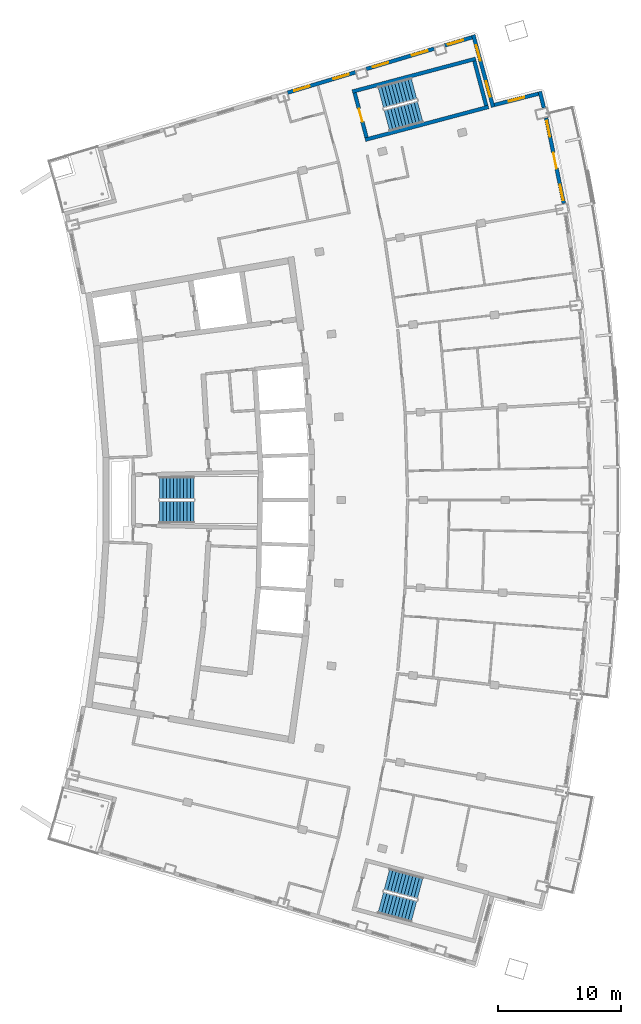
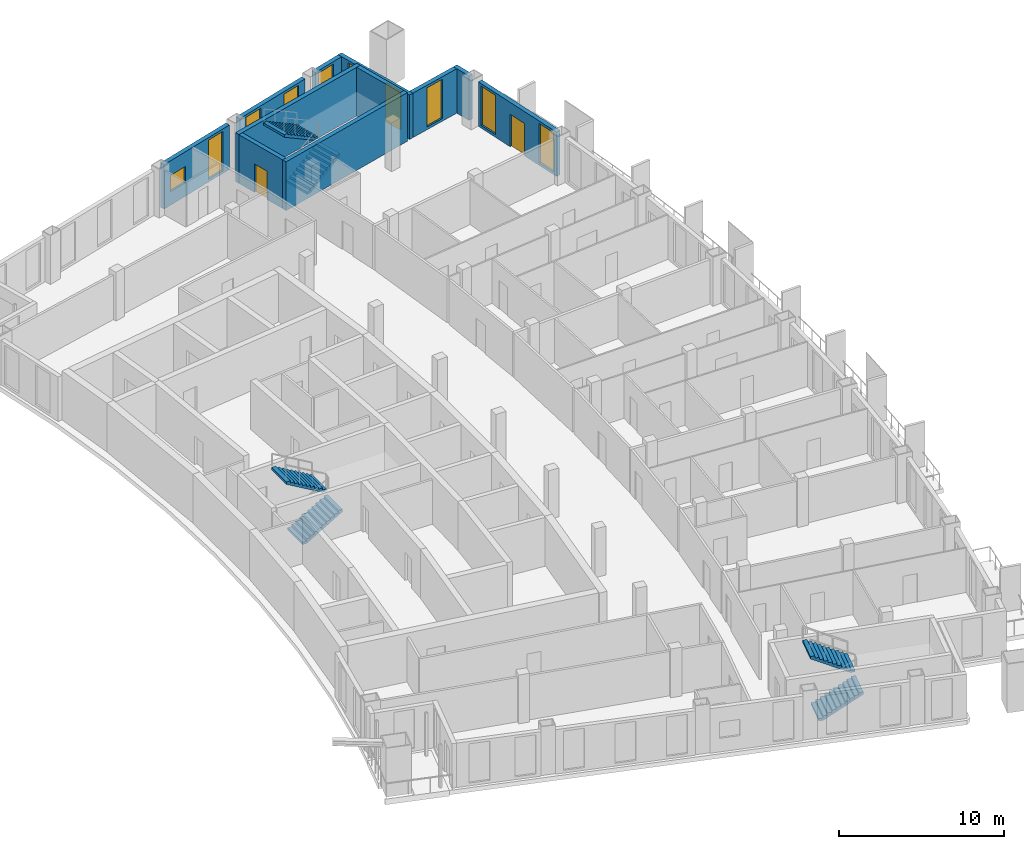
# One storey, part 13 of 16: 11 walls, 10 windows, 6 stair flights, 2 doors, 12 openings, 3 elements without a shape of their own.
"""IFC4 building model written with IfcOpenShell, lengths in metres."""

from ifc_helpers import new_model, si_unit, direction, frame, frame_2d, origin, place, context, subcontext, project, spatial, polyline, rectangle, outline, extrude, material, layer, layer_set, type_object, element, fill, aggregate, save


model = new_model("IFC4")

# Units and contexts
model_context = context("Model", 3, precision=1e-05, world=origin(), true_north=direction((0.0, 1.0)))
body_context = subcontext(model_context, "Body", "Model", "MODEL_VIEW")
ifc_project = project(units=[si_unit("LENGTHUNIT", "METRE"), si_unit("AREAUNIT", "SQUARE_METRE"), si_unit("VOLUMEUNIT", "CUBIC_METRE"), si_unit("PLANEANGLEUNIT", "RADIAN"), si_unit("MASSUNIT", "GRAM", prefix="KILO")], contexts=[model_context])

# Site, building, storey
site_placement = place(None, origin())
site = spatial("IfcSite", under=ifc_project, at=site_placement, CompositionType="ELEMENT")
building_placement = place(site_placement, origin())
building = spatial("IfcBuilding", under=site, at=building_placement, Name="Alderwake Tower", CompositionType="ELEMENT")
storey_placement = place(building_placement, frame((0.0, 0.0, 281.60009765625)))
storey = spatial("IfcBuildingStorey", under=building, at=storey_placement, Name="L70", CompositionType="ELEMENT", Elevation=281.60009765625)

# Walls
ifc_material_1 = material(Name="Concrete C70/85", Category="concrete")
ifc_layer_1 = layer(ifc_material_1, 0.300048828125)
ifc_layer_set_1 = layer_set([ifc_layer_1], Name="Core wall stair enclosure 300 C70-85")
wall_type_1 = type_object("IfcWallType", Name="Core wall stair enclosure 300 C70-85", PredefinedType="SHEAR", material=ifc_layer_set_1)
for number, where, z_axis, x_axis, name in (
    (1, (36.71142578125, 94.182373046875, 0.0), (0.0, 0.0, 1.0), (0.966309214305, 0.257383958996, 0.0), "Core wall CW.082"),
    (2, (37.75390625, 90.268798828125, 0.0), (0.0, 0.0, 1.0), (0.966309214305, 0.257383958996, 0.0), "Core wall CW.084"),
):
    element("IfcWall", number, at=place(storey_placement, frame(where, z_axis=z_axis, x_axis=x_axis)), inside=storey, type_object=wall_type_1, Name=name, PredefinedType="SHEAR", context=body_context, shape_type="SweptSolid", body=[
        extrude(rectangle(XDim=10.360107421875, YDim=0.300048828125, at=frame_2d((5.18017578125, 0.0))), origin(), (0.0, 0.0, 1.0), 3.599853515625),
    ])

# Wall, opening, door
wall_1_placement = place(storey_placement, frame((37.8603515625, 90.452392578125, 0.0), z_axis=(0.0, 0.0, 1.0), x_axis=(-0.257411420208, 0.966301899381, 0.0)))
wall_1 = element("IfcWall", 3, at=wall_1_placement, inside=storey, type_object=wall_type_1, Name="Core wall CW.083", PredefinedType="SHEAR", context=body_context, shape_type="SweptSolid", body=[
    extrude(rectangle(XDim=3.750244140625, YDim=0.300048828125, at=frame_2d((1.875, 0.0))), origin(), (0.0, 0.0, 1.0), 3.599853515625),
])
opening_1_placement = place(wall_1_placement, frame((1.324951171875, 0.0, 0.0)))
opening_1 = element("IfcOpeningElement", 4, at=opening_1_placement, cuts=wall_1, Name="Opening C062", PredefinedType="OPENING", context=body_context, shape_type="SweptSolid", body=[
    extrude(rectangle(XDim=1.10009765625, YDim=2.10009765625, at=frame_2d((0.550048828125, 1.050048828125))), frame((0.0, 0.159912109375, 0.0), z_axis=(0.0, -1.0, 0.0), x_axis=(1.0, 0.0, 0.0)), (0.0, 0.0, 1.0), 0.320068359375),
])
ifc_material_2 = material(Name="Steel-framed fire door leaf", Category="steel")
door_type_1 = type_object("IfcDoorType", Name="Core stair door 1100 fire-rated", OperationType="SINGLE_SWING_LEFT", PredefinedType="DOOR", material=ifc_material_2)
door_1_placement = place(opening_1_placement, origin())
door_1 = element("IfcDoor", 5, at=door_1_placement, inside=storey, type_object=door_type_1, Name="Stair door", OperationType="SINGLE_SWING_RIGHT", OverallHeight=2.10009765625, OverallWidth=1.10009765625, PredefinedType="DOOR", context=body_context, shape_type="SweptSolid", body=[
    extrude(rectangle(XDim=1.10009765625, YDim=2.10009765625, at=frame_2d((0.550048828125, 1.050048828125))), frame((0.0, 0.02490234375, 0.0), z_axis=(0.0, -1.0, 0.0), x_axis=(1.0, 0.0, 0.0)), (0.0, 0.0, 1.0), 0.050048828125),
])
fill(opening_1, door_1)

# Wall
wall_2_placement = place(storey_placement, frame((47.581298828125, 93.041748046875, 0.0), z_axis=(0.0, 0.0, 1.0), x_axis=(-0.257366821694, 0.966313778796, 0.0)))
element("IfcWall", 6, at=wall_2_placement, inside=storey, type_object=wall_type_1, Name="Core wall CW.081", PredefinedType="SHEAR", context=body_context, shape_type="SweptSolid", body=[
    extrude(rectangle(XDim=3.749755859375, YDim=0.300048828125, at=frame_2d((1.875, 0.0))), origin(), (0.0, 0.0, 1.0), 3.599853515625),
])

# Wall, openings, door, windows
ifc_material_3 = material(Name="Precast concrete C50/60 spandrel panel", Category="concrete")
ifc_layer_2 = layer(ifc_material_3, 0.300048828125)
ifc_layer_set_2 = layer_set([ifc_layer_2], Name="External wall EW1 Precast concrete C50/60 spandrel")
wall_type_2 = type_object("IfcWallType", Name="External wall EW1 Precast concrete C50/60 spandrel", PredefinedType="SOLIDWALL", material=ifc_layer_set_2)
wall_3_placement = place(storey_placement, frame((53.886474609375, 85.100341796875, 0.0), z_axis=(0.0, 0.0, 1.0), x_axis=(-0.202764970436, 0.979227433625, 0.0)))
wall_3 = element("IfcWall", 7, at=wall_3_placement, inside=storey, type_object=wall_type_2, Name="External wall 19", PredefinedType="SOLIDWALL", context=body_context, shape_type="SweptSolid", body=[
    extrude(rectangle(XDim=7.091796875, YDim=0.300048828125, at=frame_2d((3.5458984375, 0.0))), origin(), (0.0, 0.0, 1.0), 3.27978515625),
])
opening_2_placement = place(wall_3_placement, frame((0.255615234375, 0.0, 0.199951171875)))
opening_2 = element("IfcOpeningElement", 8, at=opening_2_placement, cuts=wall_3, Name="Opening W1", PredefinedType="OPENING", context=body_context, shape_type="SweptSolid", body=[
    extrude(rectangle(XDim=1.300048828125, YDim=2.89990234375, at=frame_2d((0.64990234375, 1.449951171875))), frame((0.0, 0.159912109375, 0.0), z_axis=(0.0, -1.0, 0.0), x_axis=(1.0, 0.0, 0.0)), (0.0, 0.0, 1.0), 0.320068359375),
])
opening_3_placement = place(wall_3_placement, frame((2.895751953125, 0.0, 0.0)))
opening_3 = element("IfcOpeningElement", 9, at=opening_3_placement, cuts=wall_3, Name="Opening D08", PredefinedType="OPENING", context=body_context, shape_type="SweptSolid", body=[
    extrude(rectangle(XDim=1.300048828125, YDim=2.39990234375, at=frame_2d((0.64990234375, 1.199951171875))), frame((0.0, 0.159912109375, 0.0), z_axis=(0.0, -1.0, 0.0), x_axis=(1.0, 0.0, 0.0)), (0.0, 0.0, 1.0), 0.320068359375),
])
opening_4_placement = place(wall_3_placement, frame((5.535888671875, 0.0, 0.199951171875)))
opening_4 = element("IfcOpeningElement", 10, at=opening_4_placement, cuts=wall_3, Name="Opening W1", PredefinedType="OPENING", context=body_context, shape_type="SweptSolid", body=[
    extrude(rectangle(XDim=1.300048828125, YDim=2.89990234375, at=frame_2d((0.64990234375, 1.449951171875))), frame((0.0, 0.159912109375, 0.0), z_axis=(0.0, -1.0, 0.0), x_axis=(1.0, 0.0, 0.0)), (0.0, 0.0, 1.0), 0.320068359375),
])
ifc_material_4 = material(Name="Bronze tinted glass in aluminium frame", Category="aluminium")
door_type_2 = type_object("IfcDoorType", Name="Balcony door BD sliding", OperationType="SLIDING_TO_LEFT", PredefinedType="DOOR", material=ifc_material_4)
door_2_placement = place(opening_3_placement, origin())
door_2 = element("IfcDoor", 11, at=door_2_placement, inside=storey, type_object=door_type_2, Name="Door D08", OperationType="SLIDING_TO_LEFT", OverallHeight=2.39990234375, OverallWidth=1.300048828125, PredefinedType="DOOR", context=body_context, shape_type="SweptSolid", body=[
    extrude(rectangle(XDim=1.300048828125, YDim=2.39990234375, at=frame_2d((0.64990234375, 1.199951171875))), frame((0.0, 0.02490234375, 0.0), z_axis=(0.0, -1.0, 0.0), x_axis=(1.0, 0.0, 0.0)), (0.0, 0.0, 1.0), 0.050048828125),
])
fill(opening_3, door_2)
ifc_material_5 = material(Name="Bronze tinted glass in aluminium frame", Category="aluminium")
window_type_1 = type_object("IfcWindowType", Name="Window W1 tall fixed and vent", PartitioningType="DOUBLE_PANEL_VERTICAL", PredefinedType="WINDOW", material=ifc_material_5)
window_1_placement = place(opening_2_placement, origin())
window_1 = element("IfcWindow", 12, at=window_1_placement, inside=storey, type_object=window_type_1, Name="Window W1 tall fixed and vent", OverallHeight=2.89990234375, OverallWidth=1.300048828125, PartitioningType="DOUBLE_PANEL_VERTICAL", PredefinedType="WINDOW", context=body_context, shape_type="SweptSolid", body=[
    extrude(rectangle(XDim=1.300048828125, YDim=2.89990234375, at=frame_2d((0.64990234375, 1.449951171875))), frame((0.0, 0.030029296875, 0.0), z_axis=(0.0, -1.0, 0.0), x_axis=(1.0, 0.0, 0.0)), (0.0, 0.0, 1.0), 0.06005859375),
])
fill(opening_2, window_1)
window_2_placement = place(opening_4_placement, origin())
window_2 = element("IfcWindow", 13, at=window_2_placement, inside=storey, type_object=window_type_1, Name="Window W1 tall fixed and vent", OverallHeight=2.89990234375, OverallWidth=1.300048828125, PartitioningType="DOUBLE_PANEL_VERTICAL", PredefinedType="WINDOW", context=body_context, shape_type="SweptSolid", body=[
    extrude(rectangle(XDim=1.300048828125, YDim=2.89990234375, at=frame_2d((0.64990234375, 1.449951171875))), frame((0.0, 0.030029296875, 0.0), z_axis=(0.0, -1.0, 0.0), x_axis=(1.0, 0.0, 0.0)), (0.0, 0.0, 1.0), 0.06005859375),
])
fill(opening_4, window_2)

# Wall
wall_4_placement = place(storey_placement, frame((52.2666015625, 92.8515625, 0.0), z_axis=(0.0, 0.0, 1.0), x_axis=(-0.238407508489, 0.971165207313, 0.0)))
element("IfcWall", 14, at=wall_4_placement, inside=storey, type_object=wall_type_2, Name="External wall 20", PredefinedType="SOLIDWALL", context=body_context, shape_type="SweptSolid", body=[
    extrude(rectangle(XDim=1.37841796875, YDim=0.300048828125, at=frame_2d((0.689208984375, 0.0))), origin(), (0.0, 0.0, 1.0), 3.27978515625),
])

# Wall, opening, window
ifc_material_6 = material(Name="Bronze metal cladding on lightweight framing")
ifc_layer_3 = layer(ifc_material_6, 0.300048828125)
ifc_layer_set_3 = layer_set([ifc_layer_3], Name="External wall EW2 bronze metal cladding")
wall_type_3 = type_object("IfcWallType", Name="External wall EW2 bronze metal cladding", PredefinedType="SOLIDWALL", material=ifc_layer_set_3)
wall_5_placement = place(storey_placement, frame((51.828369140625, 94.0078125, 0.0), z_axis=(0.0, 0.0, 1.0), x_axis=(-0.969426922046, -0.245380200529, 0.0)))
wall_5 = element("IfcWall", 15, at=wall_5_placement, inside=storey, type_object=wall_type_3, Name="External wall 21", PredefinedType="SOLIDWALL", context=body_context, shape_type="SweptSolid", body=[
    extrude(rectangle(XDim=3.6943359375, YDim=0.300048828125, at=frame_2d((1.84716796875, 0.0))), origin(), (0.0, 0.0, 1.0), 3.27978515625),
])
opening_5_placement = place(wall_5_placement, frame((1.197021484375, 0.0, 0.199951171875)))
opening_5 = element("IfcOpeningElement", 16, at=opening_5_placement, cuts=wall_5, Name="Opening W1", PredefinedType="OPENING", context=body_context, shape_type="SweptSolid", body=[
    extrude(rectangle(XDim=1.300048828125, YDim=2.89990234375, at=frame_2d((0.64990234375, 1.449951171875))), frame((0.0, 0.159912109375, 0.0), z_axis=(0.0, -1.0, 0.0), x_axis=(1.0, 0.0, 0.0)), (0.0, 0.0, 1.0), 0.320068359375),
])
window_3_placement = place(opening_5_placement, origin())
window_3 = element("IfcWindow", 17, at=window_3_placement, inside=storey, type_object=window_type_1, Name="Window W1 tall fixed and vent", OverallHeight=2.89990234375, OverallWidth=1.300048828125, PartitioningType="DOUBLE_PANEL_VERTICAL", PredefinedType="WINDOW", context=body_context, shape_type="SweptSolid", body=[
    extrude(rectangle(XDim=1.300048828125, YDim=2.89990234375, at=frame_2d((0.64990234375, 1.449951171875))), frame((0.0, 0.030029296875, 0.0), z_axis=(0.0, -1.0, 0.0), x_axis=(1.0, 0.0, 0.0)), (0.0, 0.0, 1.0), 0.06005859375),
])
fill(opening_5, window_3)

# Wall, openings, windows
wall_6_placement = place(storey_placement, frame((48.141357421875, 92.919921875, 0.0), z_axis=(0.0, 0.0, 1.0), x_axis=(-0.265081779461, 0.96422593317, 0.0)))
wall_6 = element("IfcWall", 18, at=wall_6_placement, inside=storey, type_object=wall_type_3, Name="External wall 22", PredefinedType="SOLIDWALL", context=body_context, shape_type="SweptSolid", body=[
    extrude(rectangle(XDim=6.07666015625, YDim=0.300048828125, at=frame_2d((3.038330078125, 0.0))), origin(), (0.0, 0.0, 1.0), 3.27978515625),
])
opening_6_placement = place(wall_6_placement, frame((0.869140625, 0.0, 0.199951171875)))
opening_6 = element("IfcOpeningElement", 19, at=opening_6_placement, cuts=wall_6, Name="Opening W1", PredefinedType="OPENING", context=body_context, shape_type="SweptSolid", body=[
    extrude(rectangle(XDim=1.300048828125, YDim=2.89990234375, at=frame_2d((0.64990234375, 1.449951171875))), frame((0.0, 0.159912109375, 0.0), z_axis=(0.0, -1.0, 0.0), x_axis=(1.0, 0.0, 0.0)), (0.0, 0.0, 1.0), 0.320068359375),
])
opening_7_placement = place(wall_6_placement, frame((3.90771484375, 0.0, 0.199951171875)))
opening_7 = element("IfcOpeningElement", 20, at=opening_7_placement, cuts=wall_6, Name="Opening W1", PredefinedType="OPENING", context=body_context, shape_type="SweptSolid", body=[
    extrude(rectangle(XDim=1.300048828125, YDim=2.89990234375, at=frame_2d((0.64990234375, 1.449951171875))), frame((0.0, 0.159912109375, 0.0), z_axis=(0.0, -1.0, 0.0), x_axis=(1.0, 0.0, 0.0)), (0.0, 0.0, 1.0), 0.320068359375),
])
window_4_placement = place(opening_6_placement, origin())
window_4 = element("IfcWindow", 21, at=window_4_placement, inside=storey, type_object=window_type_1, Name="Window W1 tall fixed and vent", OverallHeight=2.89990234375, OverallWidth=1.300048828125, PartitioningType="DOUBLE_PANEL_VERTICAL", PredefinedType="WINDOW", context=body_context, shape_type="SweptSolid", body=[
    extrude(rectangle(XDim=1.300048828125, YDim=2.89990234375, at=frame_2d((0.64990234375, 1.449951171875))), frame((0.0, 0.030029296875, 0.0), z_axis=(0.0, -1.0, 0.0), x_axis=(1.0, 0.0, 0.0)), (0.0, 0.0, 1.0), 0.06005859375),
])
fill(opening_6, window_4)
window_5_placement = place(opening_7_placement, origin())
window_5 = element("IfcWindow", 22, at=window_5_placement, inside=storey, type_object=window_type_1, Name="Window W1 tall fixed and vent", OverallHeight=2.89990234375, OverallWidth=1.300048828125, PartitioningType="DOUBLE_PANEL_VERTICAL", PredefinedType="WINDOW", context=body_context, shape_type="SweptSolid", body=[
    extrude(rectangle(XDim=1.300048828125, YDim=2.89990234375, at=frame_2d((0.64990234375, 1.449951171875))), frame((0.0, 0.030029296875, 0.0), z_axis=(0.0, -1.0, 0.0), x_axis=(1.0, 0.0, 0.0)), (0.0, 0.0, 1.0), 0.06005859375),
])
fill(opening_7, window_5)

# Wall, opening, window
wall_7_placement = place(storey_placement, frame((46.4267578125, 98.591552734375, 0.0), z_axis=(0.0, 0.0, 1.0), x_axis=(-0.957773977811, -0.287522185977, 0.0)))
wall_7 = element("IfcWall", 23, at=wall_7_placement, inside=storey, type_object=wall_type_3, Name="External wall 23", PredefinedType="SOLIDWALL", context=body_context, shape_type="SweptSolid", body=[
    extrude(rectangle(XDim=2.31298828125, YDim=0.300048828125, at=frame_2d((1.156494140625, 0.0))), origin(), (0.0, 0.0, 1.0), 3.27978515625),
])
opening_8_placement = place(wall_7_placement, frame((0.732421875, 0.0, 0.199951171875)))
opening_8 = element("IfcOpeningElement", 24, at=opening_8_placement, cuts=wall_7, Name="Opening W1", PredefinedType="OPENING", context=body_context, shape_type="SweptSolid", body=[
    extrude(rectangle(XDim=1.300048828125, YDim=2.89990234375, at=frame_2d((0.64990234375, 1.449951171875))), frame((0.0, 0.159912109375, 0.0), z_axis=(0.0, -1.0, 0.0), x_axis=(1.0, 0.0, 0.0)), (0.0, 0.0, 1.0), 0.320068359375),
])
window_6_placement = place(opening_8_placement, origin())
window_6 = element("IfcWindow", 25, at=window_6_placement, inside=storey, type_object=window_type_1, Name="Window W1 tall fixed and vent", OverallHeight=2.89990234375, OverallWidth=1.300048828125, PartitioningType="DOUBLE_PANEL_VERTICAL", PredefinedType="WINDOW", context=body_context, shape_type="SweptSolid", body=[
    extrude(rectangle(XDim=1.300048828125, YDim=2.89990234375, at=frame_2d((0.64990234375, 1.449951171875))), frame((0.0, 0.030029296875, 0.0), z_axis=(0.0, -1.0, 0.0), x_axis=(1.0, 0.0, 0.0)), (0.0, 0.0, 1.0), 0.06005859375),
])
fill(opening_8, window_6)

# Wall, openings, windows
wall_8_placement = place(storey_placement, frame((43.34619140625, 97.66650390625, 0.0), z_axis=(0.0, 0.0, 1.0), x_axis=(-0.957776135082, -0.287514999726, 0.0)))
wall_8 = element("IfcWall", 26, at=wall_8_placement, inside=storey, type_object=wall_type_3, Name="External wall 24", PredefinedType="SOLIDWALL", context=body_context, shape_type="SweptSolid", body=[
    extrude(rectangle(XDim=5.76318359375, YDim=0.300048828125, at=frame_2d((2.881591796875, 0.0))), origin(), (0.0, 0.0, 1.0), 3.27978515625),
])
opening_9_placement = place(wall_8_placement, frame((0.56494140625, 0.0, 0.199951171875)))
opening_9 = element("IfcOpeningElement", 27, at=opening_9_placement, cuts=wall_8, Name="Opening W1", PredefinedType="OPENING", context=body_context, shape_type="SweptSolid", body=[
    extrude(rectangle(XDim=1.300048828125, YDim=2.89990234375, at=frame_2d((0.64990234375, 1.449951171875))), frame((0.0, 0.159912109375, 0.0), z_axis=(0.0, -1.0, 0.0), x_axis=(1.0, 0.0, 0.0)), (0.0, 0.0, 1.0), 0.320068359375),
])
opening_10_placement = place(wall_8_placement, frame((3.8984375, 0.0, 0.199951171875)))
opening_10 = element("IfcOpeningElement", 28, at=opening_10_placement, cuts=wall_8, Name="Opening W1", PredefinedType="OPENING", context=body_context, shape_type="SweptSolid", body=[
    extrude(rectangle(XDim=1.300048828125, YDim=2.89990234375, at=frame_2d((0.64990234375, 1.449951171875))), frame((0.0, 0.159912109375, 0.0), z_axis=(0.0, -1.0, 0.0), x_axis=(1.0, 0.0, 0.0)), (0.0, 0.0, 1.0), 0.320068359375),
])
window_7_placement = place(opening_9_placement, origin())
window_7 = element("IfcWindow", 29, at=window_7_placement, inside=storey, type_object=window_type_1, Name="Window W1 tall fixed and vent", OverallHeight=2.89990234375, OverallWidth=1.300048828125, PartitioningType="DOUBLE_PANEL_VERTICAL", PredefinedType="WINDOW", context=body_context, shape_type="SweptSolid", body=[
    extrude(rectangle(XDim=1.300048828125, YDim=2.89990234375, at=frame_2d((0.64990234375, 1.449951171875))), frame((0.0, 0.030029296875, 0.0), z_axis=(0.0, -1.0, 0.0), x_axis=(1.0, 0.0, 0.0)), (0.0, 0.0, 1.0), 0.06005859375),
])
fill(opening_9, window_7)
window_8_placement = place(opening_10_placement, origin())
window_8 = element("IfcWindow", 30, at=window_8_placement, inside=storey, type_object=window_type_1, Name="Window W1 tall fixed and vent", OverallHeight=2.89990234375, OverallWidth=1.300048828125, PartitioningType="DOUBLE_PANEL_VERTICAL", PredefinedType="WINDOW", context=body_context, shape_type="SweptSolid", body=[
    extrude(rectangle(XDim=1.300048828125, YDim=2.89990234375, at=frame_2d((0.64990234375, 1.449951171875))), frame((0.0, 0.030029296875, 0.0), z_axis=(0.0, -1.0, 0.0), x_axis=(1.0, 0.0, 0.0)), (0.0, 0.0, 1.0), 0.06005859375),
])
fill(opening_10, window_8)

wall_9_placement = place(storey_placement, frame((36.961181640625, 95.74951171875, 0.0), z_axis=(0.0, 0.0, 1.0), x_axis=(-0.957767971424, -0.287542193278, 0.0)))
wall_9 = element("IfcWall", 31, at=wall_9_placement, inside=storey, type_object=wall_type_3, Name="External wall 25", PredefinedType="SOLIDWALL", context=body_context, shape_type="SweptSolid", body=[
    extrude(rectangle(XDim=5.763427734375, YDim=0.300048828125, at=frame_2d((2.8818359375, 0.0))), origin(), (0.0, 0.0, 1.0), 3.27978515625),
])
opening_11_placement = place(wall_9_placement, frame((0.56494140625, 0.0, 0.199951171875)))
opening_11 = element("IfcOpeningElement", 32, at=opening_11_placement, cuts=wall_9, Name="Opening W1", PredefinedType="OPENING", context=body_context, shape_type="SweptSolid", body=[
    extrude(rectangle(XDim=1.300048828125, YDim=2.89990234375, at=frame_2d((0.64990234375, 1.449951171875))), frame((0.0, 0.159912109375, 0.0), z_axis=(0.0, -1.0, 0.0), x_axis=(1.0, 0.0, 0.0)), (0.0, 0.0, 1.0), 0.320068359375),
])
opening_12_placement = place(wall_9_placement, frame((3.8984375, 0.0, 1.0)))
opening_12 = element("IfcOpeningElement", 33, at=opening_12_placement, cuts=wall_9, Name="Opening W2", PredefinedType="OPENING", context=body_context, shape_type="SweptSolid", body=[
    extrude(rectangle(XDim=1.300048828125, YDim=1.199951171875, at=frame_2d((0.64990234375, 0.60009765625))), frame((0.0, 0.159912109375, 0.0), z_axis=(0.0, -1.0, 0.0), x_axis=(1.0, 0.0, 0.0)), (0.0, 0.0, 1.0), 0.320068359375),
])
window_9_placement = place(opening_11_placement, origin())
window_9 = element("IfcWindow", 34, at=window_9_placement, inside=storey, type_object=window_type_1, Name="Window W1 tall fixed and vent", OverallHeight=2.89990234375, OverallWidth=1.300048828125, PartitioningType="DOUBLE_PANEL_VERTICAL", PredefinedType="WINDOW", context=body_context, shape_type="SweptSolid", body=[
    extrude(rectangle(XDim=1.300048828125, YDim=2.89990234375, at=frame_2d((0.64990234375, 1.449951171875))), frame((0.0, 0.030029296875, 0.0), z_axis=(0.0, -1.0, 0.0), x_axis=(1.0, 0.0, 0.0)), (0.0, 0.0, 1.0), 0.06005859375),
])
fill(opening_11, window_9)
ifc_material_7 = material(Name="Bronze tinted glass in aluminium frame", Category="aluminium")
window_type_2 = type_object("IfcWindowType", Name="Window W2 kitchen and bath", PartitioningType="SINGLE_PANEL", PredefinedType="WINDOW", material=ifc_material_7)
window_10_placement = place(opening_12_placement, origin())
window_10 = element("IfcWindow", 35, at=window_10_placement, inside=storey, type_object=window_type_2, Name="Window W2 kitchen and bath", OverallHeight=1.199951171875, OverallWidth=1.300048828125, PartitioningType="SINGLE_PANEL", PredefinedType="WINDOW", context=body_context, shape_type="SweptSolid", body=[
    extrude(rectangle(XDim=1.300048828125, YDim=1.199951171875, at=frame_2d((0.64990234375, 0.60009765625))), frame((0.0, 0.030029296875, 0.0), z_axis=(0.0, -1.0, 0.0), x_axis=(1.0, 0.0, 0.0)), (0.0, 0.0, 1.0), 0.06005859375),
])
fill(opening_12, window_10)

# Stair, stair flights
ifc_material_8 = material(Name="Concrete C40/50", Category="concrete")
stair_type = type_object("IfcStairType", Name="Core exit stair", PredefinedType="HALF_TURN_STAIR", material=ifc_material_8)
stair_1_placement = place(storey_placement, origin())
stair_1 = element("IfcStair", 36, at=stair_1_placement, inside=storey, type_object=stair_type, Name="L70 Exit Stair B", PredefinedType="HALF_TURN_STAIR")
ifc_material_9 = material(Name="Concrete C40/50", Category="concrete")
ifc_layer_4 = layer(ifc_material_9, 0.14990234375)
ifc_layer_set_4 = layer_set([ifc_layer_4], Name="Core stair flight")
stair_flight_type = type_object("IfcStairFlightType", Name="Core stair flight", PredefinedType="STRAIGHT", material=ifc_layer_set_4)
stair_flight_1_placement = place(storey_placement, frame((21.0400390625, 60.02490234375, 0.0), z_axis=(0.0, 0.0, 1.0), x_axis=(1.0, 0.0, 0.0)))
stair_flight_1 = element("IfcStairFlight", 37, at=stair_flight_1_placement, type_object=stair_flight_type, Name="ST-B flight 1", NumberOfRisers=11, NumberOfTreads=10, PredefinedType="STRAIGHT", RiserHeight=0.163636364, TreadLength=0.28, context=body_context, shape_type="SweptSolid", body=[
    extrude(outline(polyline([(0.0, 0.0), (0.0, 0.16357421875), (0.280029296875, 0.16357421875), (0.280029296875, 0.327392578125), (0.56005859375, 0.327392578125), (0.56005859375, 0.490966796875), (0.840087890625, 0.490966796875), (0.840087890625, 0.654541015625), (1.1201171875, 0.654541015625), (1.1201171875, 0.818115234375), (1.39990234375, 0.818115234375), (1.39990234375, 0.98193359375), (1.679931640625, 0.98193359375), (1.679931640625, 1.1455078125), (1.9599609375, 1.1455078125), (1.9599609375, 1.30908203125), (2.239990234375, 1.30908203125), (2.239990234375, 1.47265625), (2.52001953125, 1.47265625), (2.52001953125, 1.636474609375), (2.800048828125, 1.636474609375), (2.800048828125, 1.800048828125), (2.800048828125, 1.462646484375), (0.297119140625, 0.0), (0.0, 0.0)])), frame((0.0, 0.89990234375, 0.0), z_axis=(0.0, -1.0, 0.0), x_axis=(1.0, 0.0, 0.0)), (0.0, 0.0, 1.0), 1.800048828125),
])
stair_flight_2_placement = place(storey_placement, frame((23.840087890625, 61.97509765625, 1.7998046875), z_axis=(0.0, 0.0, 1.0), x_axis=(-1.0, 0.0, 0.0)))
stair_flight_2 = element("IfcStairFlight", 38, at=stair_flight_2_placement, type_object=stair_flight_type, Name="ST-B flight 2", NumberOfRisers=11, NumberOfTreads=10, PredefinedType="STRAIGHT", RiserHeight=0.163636364, TreadLength=0.28, context=body_context, shape_type="SweptSolid", body=[
    extrude(outline(polyline([(0.0, 0.0), (0.0, 0.16357421875), (0.280029296875, 0.16357421875), (0.280029296875, 0.327392578125), (0.56005859375, 0.327392578125), (0.56005859375, 0.490966796875), (0.840087890625, 0.490966796875), (0.840087890625, 0.654541015625), (1.1201171875, 0.654541015625), (1.1201171875, 0.818115234375), (1.39990234375, 0.818115234375), (1.39990234375, 0.98193359375), (1.679931640625, 0.98193359375), (1.679931640625, 1.1455078125), (1.9599609375, 1.1455078125), (1.9599609375, 1.30908203125), (2.239990234375, 1.30908203125), (2.239990234375, 1.47265625), (2.52001953125, 1.47265625), (2.52001953125, 1.636474609375), (2.800048828125, 1.636474609375), (2.800048828125, 1.800048828125), (2.800048828125, 1.462646484375), (0.297119140625, 0.0), (0.0, 0.0)])), frame((0.0, 0.89990234375, 0.0), z_axis=(0.0, -1.0, 0.0), x_axis=(1.0, 0.0, 0.0)), (0.0, 0.0, 1.0), 1.800048828125),
])
aggregate(stair_1, [stair_flight_1, stair_flight_2])

stair_2_placement = place(storey_placement, origin())
stair_2 = element("IfcStair", 39, at=stair_2_placement, inside=storey, type_object=stair_type, Name="L70 Exit Stair A", PredefinedType="HALF_TURN_STAIR")
stair_flight_3_placement = place(storey_placement, frame((39.512939453125, 91.823974609375, 0.0), z_axis=(0.0, 0.0, 1.0), x_axis=(0.966309627437, 0.257382407951, 0.0)))
stair_flight_3 = element("IfcStairFlight", 40, at=stair_flight_3_placement, type_object=stair_flight_type, Name="ST-A flight 1", NumberOfRisers=11, NumberOfTreads=10, PredefinedType="STRAIGHT", RiserHeight=0.163636364, TreadLength=0.28, context=body_context, shape_type="SweptSolid", body=[
    extrude(outline(polyline([(0.0, 0.0), (0.0, 0.16357421875), (0.280029296875, 0.16357421875), (0.280029296875, 0.327392578125), (0.56005859375, 0.327392578125), (0.56005859375, 0.490966796875), (0.840087890625, 0.490966796875), (0.840087890625, 0.654541015625), (1.1201171875, 0.654541015625), (1.1201171875, 0.818115234375), (1.39990234375, 0.818115234375), (1.39990234375, 0.98193359375), (1.679931640625, 0.98193359375), (1.679931640625, 1.1455078125), (1.9599609375, 1.1455078125), (1.9599609375, 1.30908203125), (2.239990234375, 1.30908203125), (2.239990234375, 1.47265625), (2.52001953125, 1.47265625), (2.52001953125, 1.636474609375), (2.800048828125, 1.636474609375), (2.800048828125, 1.800048828125), (2.800048828125, 1.462646484375), (0.297119140625, 0.0), (0.0, 0.0)])), frame((0.0, 0.89990234375, 0.0), z_axis=(0.0, -1.0, 0.0), x_axis=(1.0, 0.0, 0.0)), (0.0, 0.0, 1.0), 1.800048828125),
])
stair_flight_4_placement = place(storey_placement, frame((41.716796875, 94.428955078125, 1.7998046875), z_axis=(0.0, 0.0, 1.0), x_axis=(-0.966309627437, -0.257382407951, 0.0)))
stair_flight_4 = element("IfcStairFlight", 41, at=stair_flight_4_placement, type_object=stair_flight_type, Name="ST-A flight 2", NumberOfRisers=11, NumberOfTreads=10, PredefinedType="STRAIGHT", RiserHeight=0.163636364, TreadLength=0.28, context=body_context, shape_type="SweptSolid", body=[
    extrude(outline(polyline([(0.0, 0.0), (0.0, 0.16357421875), (0.280029296875, 0.16357421875), (0.280029296875, 0.327392578125), (0.56005859375, 0.327392578125), (0.56005859375, 0.490966796875), (0.840087890625, 0.490966796875), (0.840087890625, 0.654541015625), (1.1201171875, 0.654541015625), (1.1201171875, 0.818115234375), (1.39990234375, 0.818115234375), (1.39990234375, 0.98193359375), (1.679931640625, 0.98193359375), (1.679931640625, 1.1455078125), (1.9599609375, 1.1455078125), (1.9599609375, 1.30908203125), (2.239990234375, 1.30908203125), (2.239990234375, 1.47265625), (2.52001953125, 1.47265625), (2.52001953125, 1.636474609375), (2.800048828125, 1.636474609375), (2.800048828125, 1.800048828125), (2.800048828125, 1.462646484375), (0.297119140625, 0.0), (0.0, 0.0)])), frame((0.0, 0.89990234375, 0.0), z_axis=(0.0, -1.0, 0.0), x_axis=(1.0, 0.0, 0.0)), (0.0, 0.0, 1.0), 1.800048828125),
])
aggregate(stair_2, [stair_flight_3, stair_flight_4])

stair_3_placement = place(storey_placement, origin())
stair_3 = element("IfcStair", 42, at=stair_3_placement, inside=storey, type_object=stair_type, Name="L70 Exit Stair C", PredefinedType="HALF_TURN_STAIR")
stair_flight_5_placement = place(storey_placement, frame((39.010986328125, 28.291748046875, 0.0), z_axis=(0.0, 0.0, 1.0), x_axis=(0.966309627437, -0.257382407951, 0.0)))
stair_flight_5 = element("IfcStairFlight", 43, at=stair_flight_5_placement, type_object=stair_flight_type, Name="ST-C flight 1", NumberOfRisers=11, NumberOfTreads=10, PredefinedType="STRAIGHT", RiserHeight=0.163636364, TreadLength=0.28, context=body_context, shape_type="SweptSolid", body=[
    extrude(outline(polyline([(0.0, 0.0), (0.0, 0.16357421875), (0.280029296875, 0.16357421875), (0.280029296875, 0.327392578125), (0.56005859375, 0.327392578125), (0.56005859375, 0.490966796875), (0.840087890625, 0.490966796875), (0.840087890625, 0.654541015625), (1.1201171875, 0.654541015625), (1.1201171875, 0.818115234375), (1.39990234375, 0.818115234375), (1.39990234375, 0.98193359375), (1.679931640625, 0.98193359375), (1.679931640625, 1.1455078125), (1.9599609375, 1.1455078125), (1.9599609375, 1.30908203125), (2.239990234375, 1.30908203125), (2.239990234375, 1.47265625), (2.52001953125, 1.47265625), (2.52001953125, 1.636474609375), (2.800048828125, 1.636474609375), (2.800048828125, 1.800048828125), (2.800048828125, 1.462646484375), (0.297119140625, 0.0), (0.0, 0.0)])), frame((0.0, 0.89990234375, 0.0), z_axis=(0.0, -1.0, 0.0), x_axis=(1.0, 0.0, 0.0)), (0.0, 0.0, 1.0), 1.800048828125),
])
stair_flight_6_placement = place(storey_placement, frame((42.218505859375, 29.455322265625, 1.7998046875), z_axis=(0.0, 0.0, 1.0), x_axis=(-0.966309627437, 0.257382407951, 0.0)))
stair_flight_6 = element("IfcStairFlight", 44, at=stair_flight_6_placement, type_object=stair_flight_type, Name="ST-C flight 2", NumberOfRisers=11, NumberOfTreads=10, PredefinedType="STRAIGHT", RiserHeight=0.163636364, TreadLength=0.28, context=body_context, shape_type="SweptSolid", body=[
    extrude(outline(polyline([(0.0, 0.0), (0.0, 0.16357421875), (0.280029296875, 0.16357421875), (0.280029296875, 0.327392578125), (0.56005859375, 0.327392578125), (0.56005859375, 0.490966796875), (0.840087890625, 0.490966796875), (0.840087890625, 0.654541015625), (1.1201171875, 0.654541015625), (1.1201171875, 0.818115234375), (1.39990234375, 0.818115234375), (1.39990234375, 0.98193359375), (1.679931640625, 0.98193359375), (1.679931640625, 1.1455078125), (1.9599609375, 1.1455078125), (1.9599609375, 1.30908203125), (2.239990234375, 1.30908203125), (2.239990234375, 1.47265625), (2.52001953125, 1.47265625), (2.52001953125, 1.636474609375), (2.800048828125, 1.636474609375), (2.800048828125, 1.800048828125), (2.800048828125, 1.462646484375), (0.297119140625, 0.0), (0.0, 0.0)])), frame((0.0, 0.89990234375, 0.0), z_axis=(0.0, -1.0, 0.0), x_axis=(1.0, 0.0, 0.0)), (0.0, 0.0, 1.0), 1.800048828125),
])
aggregate(stair_3, [stair_flight_5, stair_flight_6])

save(model, "model.ifc")
